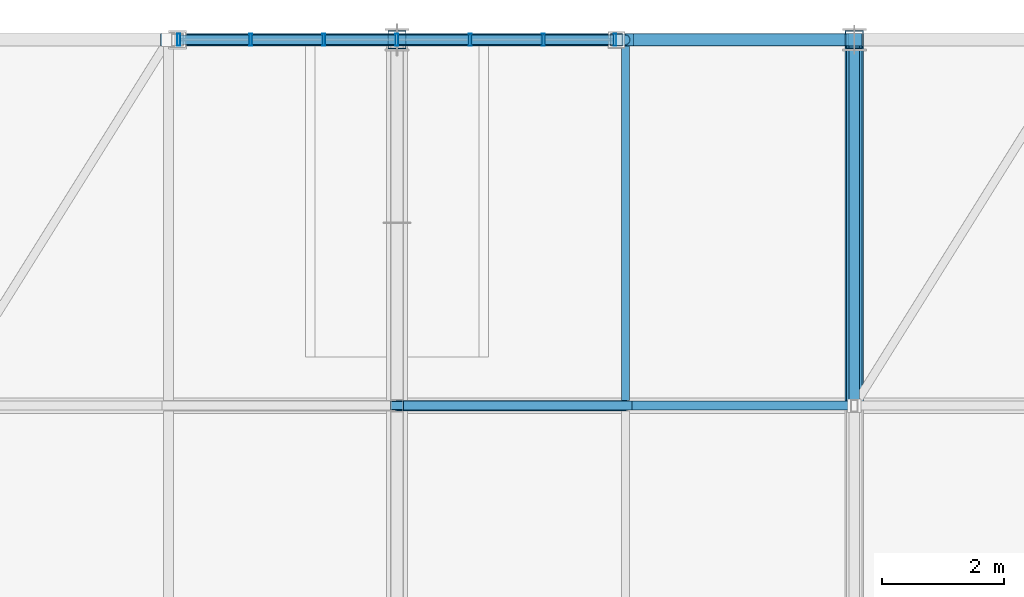
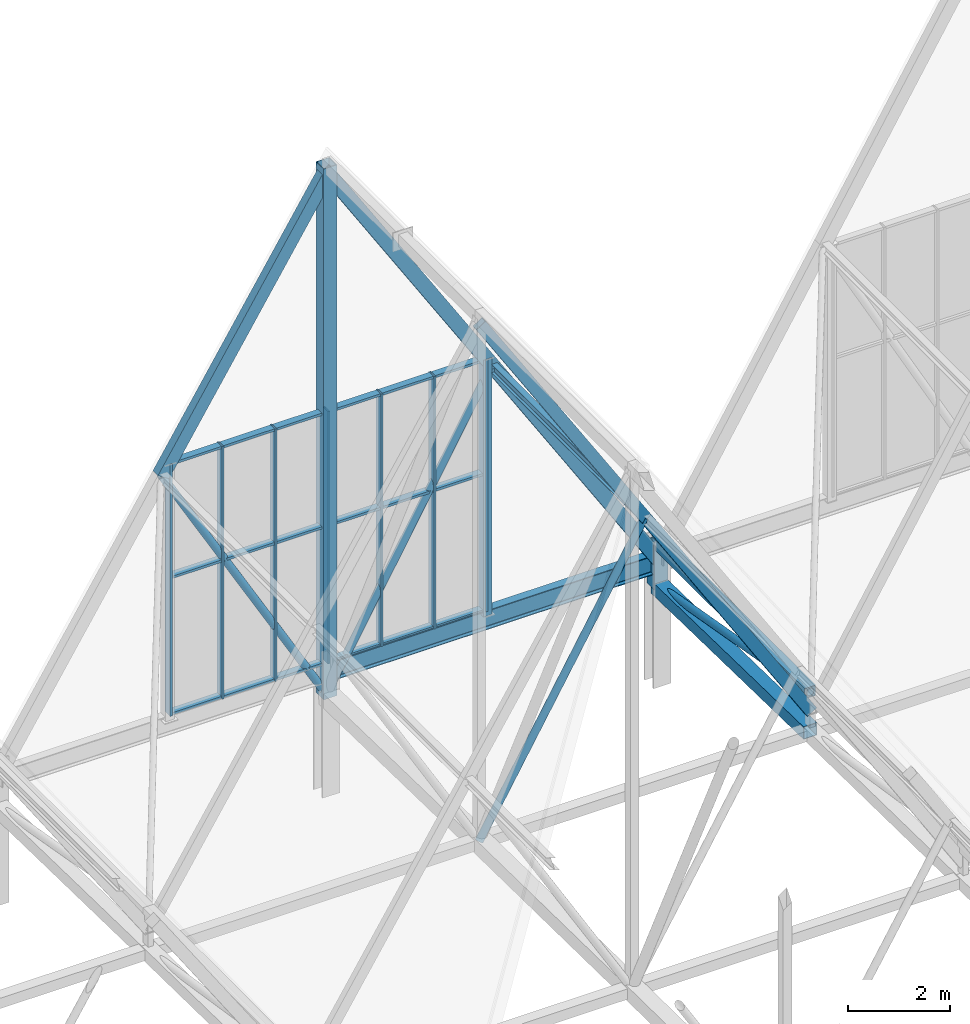
# One storey, part 111 of 324: 39 members, 2 beams, 1 element without a shape of its own.
"""IFC4 building model written with IfcOpenShell, lengths in metres."""

from ifc_helpers import new_model, si_unit, direction, frame, origin, origin_2d, place, context, subcontext, project, spatial, hollow_rectangle, hollow_circle, i_section, extrude, material, layer, layer_set, material_profile, profile_set, type_object, element, aggregate, save


model = new_model("IFC4")

# Units and contexts
model_context = context("Model", 3, precision=1e-05, world=origin(), true_north=direction((0.0, 1.0)))
body_context = subcontext(model_context, "Body", "Model", "MODEL_VIEW")
ifc_project = project(units=[si_unit("LENGTHUNIT", "METRE"), si_unit("AREAUNIT", "SQUARE_METRE"), si_unit("VOLUMEUNIT", "CUBIC_METRE"), si_unit("PLANEANGLEUNIT", "RADIAN"), si_unit("MASSUNIT", "GRAM", prefix="KILO")], contexts=[model_context])

# Site, building, storey
site_placement = place(None, origin())
site = spatial("IfcSite", under=ifc_project, at=site_placement, CompositionType="ELEMENT")
building_placement = place(site_placement, origin())
building = spatial("IfcBuilding", under=site, at=building_placement, Name="Solvenia Promenade Tram Depot", CompositionType="ELEMENT")
storey_placement = place(building_placement, frame((0.0, 0.0, 4.5)))
storey = spatial("IfcBuildingStorey", under=building, at=storey_placement, Name="L01", CompositionType="ELEMENT", Elevation=4.5)

# Curtain wall, members
ifc_material_1 = material(Name="Anodized aluminium AW-6063 T6", Category="aluminium")
ifc_layer = layer(ifc_material_1, 0.14990234375, Name="Anodized aluminium AW-6063 T6", Category="aluminium")
ifc_layer_set = layer_set([ifc_layer], Name="Anodized aluminium AW-6063 T6")
curtain_wall_type = type_object("IfcCurtainWallType", Name="CW-Gable-1200", PredefinedType="NOTDEFINED", material=ifc_layer_set)
curtain_wall_placement = place(storey_placement, origin())
curtain_wall = element("IfcCurtainWall", 1, at=curtain_wall_placement, inside=storey, type_object=curtain_wall_type, Name="North Zigzag Gable 02 Peak Glazing", PredefinedType="NOTDEFINED")
ifc_material_profile_1 = material_profile(ifc_material_1, hollow_rectangle(XDim=0.199951171875, YDim=0.048095703125, WallThickness=0.00390625, at=origin_2d()), Name="ALU-M3", Category="aluminium")
ifc_profile_set_1 = profile_set([ifc_material_profile_1], Name="Anodized aluminium AW-6063 T6")
member_type_1 = type_object("IfcMemberType", Name="CWM-Mullion-3", PredefinedType="MULLION", material=ifc_profile_set_1)
member_1_placement = place(storey_placement, frame((18.924072265625, 126.0, 3.10009765625), z_axis=(0.0, 0.0, 1.0), x_axis=(0.0, 1.0, 0.0)))
member_1 = element("IfcMember", 2, at=member_1_placement, type_object=member_type_1, Name="CW-3 mullion 1", PredefinedType="MULLION", context=body_context, shape_type="SweptSolid", body=[
    extrude(hollow_rectangle(XDim=0.199951171875, YDim=0.048095703125, WallThickness=0.00390625, at=origin_2d()), origin(), (0.0, 0.0, 1.0), 6.0498046875),
])
member_2_placement = place(storey_placement, frame((20.10009765625, 126.0, 3.10009765625), z_axis=(0.0, 0.0, 1.0), x_axis=(0.0, 1.0, 0.0)))
member_2 = element("IfcMember", 3, at=member_2_placement, type_object=member_type_1, Name="CW-3 mullion 2", PredefinedType="MULLION", context=body_context, shape_type="SweptSolid", body=[
    extrude(hollow_rectangle(XDim=0.199951171875, YDim=0.048095703125, WallThickness=0.00390625, at=origin_2d()), origin(), (0.0, 0.0, 1.0), 6.0498046875),
])
member_3_placement = place(storey_placement, frame((21.300048828125, 126.0, 3.10009765625), z_axis=(0.0, 0.0, 1.0), x_axis=(0.0, 1.0, 0.0)))
member_3 = element("IfcMember", 4, at=member_3_placement, type_object=member_type_1, Name="CW-3 mullion 3", PredefinedType="MULLION", context=body_context, shape_type="SweptSolid", body=[
    extrude(hollow_rectangle(XDim=0.199951171875, YDim=0.048095703125, WallThickness=0.00390625, at=origin_2d()), origin(), (0.0, 0.0, 1.0), 6.0498046875),
])
member_4_placement = place(storey_placement, frame((22.5, 126.0, 3.10009765625), z_axis=(0.0, 0.0, 1.0), x_axis=(0.0, 1.0, 0.0)))
member_4 = element("IfcMember", 5, at=member_4_placement, type_object=member_type_1, Name="CW-3 mullion 4", PredefinedType="MULLION", context=body_context, shape_type="SweptSolid", body=[
    extrude(hollow_rectangle(XDim=0.199951171875, YDim=0.048095703125, WallThickness=0.00390625, at=origin_2d()), origin(), (0.0, 0.0, 1.0), 6.0498046875),
])
member_5_placement = place(storey_placement, frame((23.699951171875, 126.0, 3.10009765625), z_axis=(0.0, 0.0, 1.0), x_axis=(0.0, 1.0, 0.0)))
member_5 = element("IfcMember", 6, at=member_5_placement, type_object=member_type_1, Name="CW-3 mullion 5", PredefinedType="MULLION", context=body_context, shape_type="SweptSolid", body=[
    extrude(hollow_rectangle(XDim=0.199951171875, YDim=0.048095703125, WallThickness=0.00390625, at=origin_2d()), origin(), (0.0, 0.0, 1.0), 6.0498046875),
])
member_6_placement = place(storey_placement, frame((24.89990234375, 126.0, 3.10009765625), z_axis=(0.0, 0.0, 1.0), x_axis=(0.0, 1.0, 0.0)))
member_6 = element("IfcMember", 7, at=member_6_placement, type_object=member_type_1, Name="CW-3 mullion 6", PredefinedType="MULLION", context=body_context, shape_type="SweptSolid", body=[
    extrude(hollow_rectangle(XDim=0.199951171875, YDim=0.048095703125, WallThickness=0.00390625, at=origin_2d()), origin(), (0.0, 0.0, 1.0), 6.0498046875),
])
member_7_placement = place(storey_placement, frame((26.075927734375, 126.0, 3.10009765625), z_axis=(0.0, 0.0, 1.0), x_axis=(0.0, 1.0, 0.0)))
member_7 = element("IfcMember", 8, at=member_7_placement, type_object=member_type_1, Name="CW-3 mullion 7", PredefinedType="MULLION", context=body_context, shape_type="SweptSolid", body=[
    extrude(hollow_rectangle(XDim=0.199951171875, YDim=0.048095703125, WallThickness=0.00390625, at=origin_2d()), origin(), (0.0, 0.0, 1.0), 6.0498046875),
])
ifc_material_profile_2 = material_profile(ifc_material_1, hollow_rectangle(XDim=0.159912109375, YDim=0.05810546875, WallThickness=0.00390625, at=origin_2d()), Name="ALU-T3", Category="aluminium")
ifc_profile_set_2 = profile_set([ifc_material_profile_2], Name="Anodized aluminium AW-6063 T6")
member_type_2 = type_object("IfcMemberType", Name="CWT-Transom-3", PredefinedType="USERDEFINED", material=ifc_profile_set_2)
member_8_placement = place(storey_placement, frame((18.947998046875, 126.0, 3.12890625), z_axis=(1.0, 0.0, 0.0), x_axis=(0.0, 1.0, 0.0)))
member_8 = element("IfcMember", 9, at=member_8_placement, type_object=member_type_2, Name="CW-3 transom 1.1", ObjectType="TRANSOM", PredefinedType="USERDEFINED", context=body_context, shape_type="SweptSolid", body=[
    extrude(hollow_rectangle(XDim=0.159912109375, YDim=0.05810546875, WallThickness=0.00390625, at=origin_2d()), origin(), (0.0, 0.0, 1.0), 1.1279296875),
])
member_9_placement = place(storey_placement, frame((18.947998046875, 126.0, 6.39990234375), z_axis=(1.0, 0.0, 0.0), x_axis=(0.0, 1.0, 0.0)))
member_9 = element("IfcMember", 10, at=member_9_placement, type_object=member_type_2, Name="CW-3 transom 1.2", ObjectType="TRANSOM", PredefinedType="USERDEFINED", context=body_context, shape_type="SweptSolid", body=[
    extrude(hollow_rectangle(XDim=0.159912109375, YDim=0.05810546875, WallThickness=0.00390625, at=origin_2d()), origin(), (0.0, 0.0, 1.0), 1.1279296875),
])
member_10_placement = place(storey_placement, frame((18.947998046875, 126.0, 9.12109375), z_axis=(1.0, 0.0, 0.0), x_axis=(0.0, 1.0, 0.0)))
member_10 = element("IfcMember", 11, at=member_10_placement, type_object=member_type_2, Name="CW-3 transom 1.3", ObjectType="TRANSOM", PredefinedType="USERDEFINED", context=body_context, shape_type="SweptSolid", body=[
    extrude(hollow_rectangle(XDim=0.159912109375, YDim=0.05810546875, WallThickness=0.00390625, at=origin_2d()), origin(), (0.0, 0.0, 1.0), 1.1279296875),
])
member_11_placement = place(storey_placement, frame((20.1240234375, 126.0, 3.12890625), z_axis=(1.0, 0.0, 0.0), x_axis=(0.0, 1.0, 0.0)))
member_11 = element("IfcMember", 12, at=member_11_placement, type_object=member_type_2, Name="CW-3 transom 2.1", ObjectType="TRANSOM", PredefinedType="USERDEFINED", context=body_context, shape_type="SweptSolid", body=[
    extrude(hollow_rectangle(XDim=0.159912109375, YDim=0.05810546875, WallThickness=0.00390625, at=origin_2d()), origin(), (0.0, 0.0, 1.0), 1.15185546875),
])
member_12_placement = place(storey_placement, frame((20.1240234375, 126.0, 6.39990234375), z_axis=(1.0, 0.0, 0.0), x_axis=(0.0, 1.0, 0.0)))
member_12 = element("IfcMember", 13, at=member_12_placement, type_object=member_type_2, Name="CW-3 transom 2.2", ObjectType="TRANSOM", PredefinedType="USERDEFINED", context=body_context, shape_type="SweptSolid", body=[
    extrude(hollow_rectangle(XDim=0.159912109375, YDim=0.05810546875, WallThickness=0.00390625, at=origin_2d()), origin(), (0.0, 0.0, 1.0), 1.15185546875),
])
member_13_placement = place(storey_placement, frame((20.1240234375, 126.0, 9.12109375), z_axis=(1.0, 0.0, 0.0), x_axis=(0.0, 1.0, 0.0)))
member_13 = element("IfcMember", 14, at=member_13_placement, type_object=member_type_2, Name="CW-3 transom 2.3", ObjectType="TRANSOM", PredefinedType="USERDEFINED", context=body_context, shape_type="SweptSolid", body=[
    extrude(hollow_rectangle(XDim=0.159912109375, YDim=0.05810546875, WallThickness=0.00390625, at=origin_2d()), origin(), (0.0, 0.0, 1.0), 1.15185546875),
])
member_14_placement = place(storey_placement, frame((21.323974609375, 126.0, 3.12890625), z_axis=(1.0, 0.0, 0.0), x_axis=(0.0, 1.0, 0.0)))
member_14 = element("IfcMember", 15, at=member_14_placement, type_object=member_type_2, Name="CW-3 transom 3.1", ObjectType="TRANSOM", PredefinedType="USERDEFINED", context=body_context, shape_type="SweptSolid", body=[
    extrude(hollow_rectangle(XDim=0.159912109375, YDim=0.05810546875, WallThickness=0.00390625, at=origin_2d()), origin(), (0.0, 0.0, 1.0), 1.152099609375),
])
member_15_placement = place(storey_placement, frame((21.323974609375, 126.0, 6.39990234375), z_axis=(1.0, 0.0, 0.0), x_axis=(0.0, 1.0, 0.0)))
member_15 = element("IfcMember", 16, at=member_15_placement, type_object=member_type_2, Name="CW-3 transom 3.2", ObjectType="TRANSOM", PredefinedType="USERDEFINED", context=body_context, shape_type="SweptSolid", body=[
    extrude(hollow_rectangle(XDim=0.159912109375, YDim=0.05810546875, WallThickness=0.00390625, at=origin_2d()), origin(), (0.0, 0.0, 1.0), 1.152099609375),
])
member_16_placement = place(storey_placement, frame((21.323974609375, 126.0, 9.12109375), z_axis=(1.0, 0.0, 0.0), x_axis=(0.0, 1.0, 0.0)))
member_16 = element("IfcMember", 17, at=member_16_placement, type_object=member_type_2, Name="CW-3 transom 3.3", ObjectType="TRANSOM", PredefinedType="USERDEFINED", context=body_context, shape_type="SweptSolid", body=[
    extrude(hollow_rectangle(XDim=0.159912109375, YDim=0.05810546875, WallThickness=0.00390625, at=origin_2d()), origin(), (0.0, 0.0, 1.0), 1.152099609375),
])
member_17_placement = place(storey_placement, frame((22.52392578125, 126.0, 3.12890625), z_axis=(1.0, 0.0, 0.0), x_axis=(0.0, 1.0, 0.0)))
member_17 = element("IfcMember", 18, at=member_17_placement, type_object=member_type_2, Name="CW-3 transom 4.1", ObjectType="TRANSOM", PredefinedType="USERDEFINED", context=body_context, shape_type="SweptSolid", body=[
    extrude(hollow_rectangle(XDim=0.159912109375, YDim=0.05810546875, WallThickness=0.00390625, at=origin_2d()), origin(), (0.0, 0.0, 1.0), 1.152099609375),
])
member_18_placement = place(storey_placement, frame((22.52392578125, 126.0, 6.39990234375), z_axis=(1.0, 0.0, 0.0), x_axis=(0.0, 1.0, 0.0)))
member_18 = element("IfcMember", 19, at=member_18_placement, type_object=member_type_2, Name="CW-3 transom 4.2", ObjectType="TRANSOM", PredefinedType="USERDEFINED", context=body_context, shape_type="SweptSolid", body=[
    extrude(hollow_rectangle(XDim=0.159912109375, YDim=0.05810546875, WallThickness=0.00390625, at=origin_2d()), origin(), (0.0, 0.0, 1.0), 1.152099609375),
])
member_19_placement = place(storey_placement, frame((22.52392578125, 126.0, 9.12109375), z_axis=(1.0, 0.0, 0.0), x_axis=(0.0, 1.0, 0.0)))
member_19 = element("IfcMember", 20, at=member_19_placement, type_object=member_type_2, Name="CW-3 transom 4.3", ObjectType="TRANSOM", PredefinedType="USERDEFINED", context=body_context, shape_type="SweptSolid", body=[
    extrude(hollow_rectangle(XDim=0.159912109375, YDim=0.05810546875, WallThickness=0.00390625, at=origin_2d()), origin(), (0.0, 0.0, 1.0), 1.152099609375),
])
member_20_placement = place(storey_placement, frame((23.72412109375, 126.0, 3.12890625), z_axis=(1.0, 0.0, 0.0), x_axis=(0.0, 1.0, 0.0)))
member_20 = element("IfcMember", 21, at=member_20_placement, type_object=member_type_2, Name="CW-3 transom 5.1", ObjectType="TRANSOM", PredefinedType="USERDEFINED", context=body_context, shape_type="SweptSolid", body=[
    extrude(hollow_rectangle(XDim=0.159912109375, YDim=0.05810546875, WallThickness=0.00390625, at=origin_2d()), origin(), (0.0, 0.0, 1.0), 1.15185546875),
])
member_21_placement = place(storey_placement, frame((23.72412109375, 126.0, 6.39990234375), z_axis=(1.0, 0.0, 0.0), x_axis=(0.0, 1.0, 0.0)))
member_21 = element("IfcMember", 22, at=member_21_placement, type_object=member_type_2, Name="CW-3 transom 5.2", ObjectType="TRANSOM", PredefinedType="USERDEFINED", context=body_context, shape_type="SweptSolid", body=[
    extrude(hollow_rectangle(XDim=0.159912109375, YDim=0.05810546875, WallThickness=0.00390625, at=origin_2d()), origin(), (0.0, 0.0, 1.0), 1.15185546875),
])
member_22_placement = place(storey_placement, frame((23.72412109375, 126.0, 9.12109375), z_axis=(1.0, 0.0, 0.0), x_axis=(0.0, 1.0, 0.0)))
member_22 = element("IfcMember", 23, at=member_22_placement, type_object=member_type_2, Name="CW-3 transom 5.3", ObjectType="TRANSOM", PredefinedType="USERDEFINED", context=body_context, shape_type="SweptSolid", body=[
    extrude(hollow_rectangle(XDim=0.159912109375, YDim=0.05810546875, WallThickness=0.00390625, at=origin_2d()), origin(), (0.0, 0.0, 1.0), 1.15185546875),
])
member_23_placement = place(storey_placement, frame((24.924072265625, 126.0, 3.12890625), z_axis=(1.0, 0.0, 0.0), x_axis=(0.0, 1.0, 0.0)))
member_23 = element("IfcMember", 24, at=member_23_placement, type_object=member_type_2, Name="CW-3 transom 6.1", ObjectType="TRANSOM", PredefinedType="USERDEFINED", context=body_context, shape_type="SweptSolid", body=[
    extrude(hollow_rectangle(XDim=0.159912109375, YDim=0.05810546875, WallThickness=0.00390625, at=origin_2d()), origin(), (0.0, 0.0, 1.0), 1.1279296875),
])
member_24_placement = place(storey_placement, frame((24.924072265625, 126.0, 6.39990234375), z_axis=(1.0, 0.0, 0.0), x_axis=(0.0, 1.0, 0.0)))
member_24 = element("IfcMember", 25, at=member_24_placement, type_object=member_type_2, Name="CW-3 transom 6.2", ObjectType="TRANSOM", PredefinedType="USERDEFINED", context=body_context, shape_type="SweptSolid", body=[
    extrude(hollow_rectangle(XDim=0.159912109375, YDim=0.05810546875, WallThickness=0.00390625, at=origin_2d()), origin(), (0.0, 0.0, 1.0), 1.1279296875),
])
member_25_placement = place(storey_placement, frame((24.924072265625, 126.0, 9.12109375), z_axis=(1.0, 0.0, 0.0), x_axis=(0.0, 1.0, 0.0)))
member_25 = element("IfcMember", 26, at=member_25_placement, type_object=member_type_2, Name="CW-3 transom 6.3", ObjectType="TRANSOM", PredefinedType="USERDEFINED", context=body_context, shape_type="SweptSolid", body=[
    extrude(hollow_rectangle(XDim=0.159912109375, YDim=0.05810546875, WallThickness=0.00390625, at=origin_2d()), origin(), (0.0, 0.0, 1.0), 1.1279296875),
])
aggregate(curtain_wall, [member_1, member_2, member_3, member_4, member_5, member_6, member_7, member_8, member_9, member_10, member_11, member_12, member_13, member_14, member_15, member_16, member_17, member_18, member_19, member_20, member_21, member_22, member_23, member_24, member_25])

# Members
ifc_material_2 = material(Name="Structural steel ASTM A500 Gr. C", Category="steel")
ifc_material_profile_3 = material_profile(ifc_material_2, hollow_rectangle(XDim=0.14990234375, YDim=0.25, WallThickness=0.010009765625, at=origin_2d()), Name="HSS250x150x10", Category="steel")
ifc_profile_set_3 = profile_set([ifc_material_profile_3], Name="Structural steel ASTM A500 Gr. C")
member_type_3 = type_object("IfcMemberType", Name="Chord-HSS250x150x10", PredefinedType="CHORD", material=ifc_profile_set_3)
member_26_placement = place(storey_placement, frame((22.5, 120.0, 14.83251953125), z_axis=(0.533522444929, 0.0, -0.845785907164), x_axis=(0.0, 1.0, 0.0)))
element("IfcMember", 27, at=member_26_placement, inside=storey, type_object=member_type_3, Name="Zigzag Gable 02 East Upper Rafter", PredefinedType="CHORD", context=body_context, shape_type="SweptSolid", body=[
    extrude(hollow_rectangle(XDim=0.14990234375, YDim=0.25, WallThickness=0.010009765625, at=origin_2d()), origin(), (0.0, 0.0, 1.0), 7.02880859375),
])
member_27_placement = place(storey_placement, frame((26.25, 120.0, 8.8876953125), z_axis=(0.533506771487, 0.0, -0.845795793781), x_axis=(0.0, 1.0, 0.0)))
element("IfcMember", 28, at=member_27_placement, inside=storey, type_object=member_type_3, Name="Zigzag Gable 02 East Lower Rafter", PredefinedType="CHORD", context=body_context, shape_type="SweptSolid", body=[
    extrude(hollow_rectangle(XDim=0.14990234375, YDim=0.25, WallThickness=0.010009765625, at=origin_2d()), origin(), (0.0, 0.0, 1.0), 7.029052734375),
])
ifc_material_profile_4 = material_profile(ifc_material_2, hollow_rectangle(XDim=0.25, YDim=0.25, WallThickness=0.010009765625, at=origin_2d()), Name="HSS250x250x10", Category="steel")
ifc_profile_set_4 = profile_set([ifc_material_profile_4], Name="Structural steel ASTM A500 Gr. C")
member_type_4 = type_object("IfcMemberType", Name="Chord-HSS250x250x10", PredefinedType="CHORD", material=ifc_profile_set_4)
member_28_placement = place(storey_placement, frame((30.0, 120.0, 3.3798828125), z_axis=(0.0, 1.0, 0.0), x_axis=(-1.0, 0.0, 0.0)))
element("IfcMember", 29, at=member_28_placement, inside=storey, type_object=member_type_4, Name="Arched Truss T05 Upper Chord S10", PredefinedType="CHORD", context=body_context, shape_type="SweptSolid", body=[
    extrude(hollow_rectangle(XDim=0.25, YDim=0.25, WallThickness=0.010009765625, at=origin_2d()), origin(), (0.0, 0.0, 1.0), 6.0),
])
ifc_material_profile_5 = material_profile(ifc_material_2, hollow_rectangle(XDim=0.199951171875, YDim=0.300048828125, WallThickness=0.012451171875, at=origin_2d()), Name="HSS300x200x12.5", Category="steel")
ifc_profile_set_5 = profile_set([ifc_material_profile_5], Name="Structural steel ASTM A500 Gr. C")
member_type_5 = type_object("IfcMemberType", Name="Chord-HSS300x200x12", PredefinedType="CHORD", material=ifc_profile_set_5)
for number, where, z_axis, x_axis, name in (
    (30, (18.75, 126.0, 8.8876953125), (0.533522444929, 0.0, 0.845785907164), (0.0, 1.0, 0.0), "Zigzag Gable 02 West Upper Rafter"),
    (31, (22.5, 126.0, 14.83251953125), (0.533522444929, 0.0, -0.845785907164), (0.0, 1.0, 0.0), "Zigzag Gable 02 East Upper Rafter"),
):
    element("IfcMember", number, at=place(storey_placement, frame(where, z_axis=z_axis, x_axis=x_axis)), inside=storey, type_object=member_type_5, Name=name, PredefinedType="CHORD", context=body_context, shape_type="SweptSolid", body=[
        extrude(hollow_rectangle(XDim=0.199951171875, YDim=0.300048828125, WallThickness=0.012451171875, at=origin_2d()), origin(), (0.0, 0.0, 1.0), 7.02880859375),
    ])
member_29_placement = place(storey_placement, frame((26.25, 126.0, 8.8876953125), z_axis=(0.533506771487, 0.0, -0.845795793781), x_axis=(0.0, 1.0, 0.0)))
element("IfcMember", 32, at=member_29_placement, inside=storey, type_object=member_type_5, Name="Zigzag Gable 02 East Lower Rafter", PredefinedType="CHORD", context=body_context, shape_type="SweptSolid", body=[
    extrude(hollow_rectangle(XDim=0.199951171875, YDim=0.300048828125, WallThickness=0.012451171875, at=origin_2d()), origin(), (0.0, 0.0, 1.0), 7.029052734375),
])
ifc_material_profile_6 = material_profile(ifc_material_2, hollow_rectangle(XDim=0.300048828125, YDim=0.300048828125, WallThickness=0.012451171875, at=origin_2d()), Name="HSS300x300x12.5", Category="steel")
ifc_profile_set_6 = profile_set([ifc_material_profile_6], Name="Structural steel ASTM A500 Gr. C")
member_type_6 = type_object("IfcMemberType", Name="Chord-HSS300x300x12", PredefinedType="CHORD", material=ifc_profile_set_6)
member_30_placement = place(storey_placement, frame((22.5, 126.0, 2.320068359375), z_axis=(0.0, 0.0, 1.0), x_axis=(1.0, 0.0, 0.0)))
element("IfcMember", 33, at=member_30_placement, inside=storey, type_object=member_type_6, Name="Arched Truss T04 N End Post", PredefinedType="CHORD", context=body_context, shape_type="SweptSolid", body=[
    extrude(hollow_rectangle(XDim=0.300048828125, YDim=0.300048828125, WallThickness=0.012451171875, at=origin_2d()), origin(), (0.0, 0.0, 1.0), 12.719970703125),
])
member_31_placement = place(storey_placement, frame((30.0, 126.0, 2.320068359375), z_axis=(0.0, 0.0, 1.0), x_axis=(1.0, 0.0, 0.0)))
element("IfcMember", 34, at=member_31_placement, inside=storey, type_object=member_type_6, Name="Arched Truss T05 N End Post", PredefinedType="CHORD", context=body_context, shape_type="SweptSolid", body=[
    extrude(hollow_rectangle(XDim=0.300048828125, YDim=0.300048828125, WallThickness=0.012451171875, at=origin_2d()), origin(), (0.0, 0.0, 1.0), 1.059814453125),
])
member_32_placement = place(storey_placement, frame((30.0, 120.0, 2.446044921875), z_axis=(0.0, 0.999779654873, -0.020991467363), x_axis=(-1.0, 0.0, 0.0)))
element("IfcMember", 35, at=member_32_placement, inside=storey, type_object=member_type_6, Name="Arched Truss T05 Bottom Chord S10", PredefinedType="CHORD", context=body_context, shape_type="SweptSolid", body=[
    extrude(hollow_rectangle(XDim=0.300048828125, YDim=0.300048828125, WallThickness=0.012451171875, at=origin_2d()), origin(), (0.0, 0.0, 1.0), 6.001220703125),
])
ifc_material_profile_7 = material_profile(ifc_material_2, hollow_rectangle(XDim=0.199951171875, YDim=0.199951171875, WallThickness=0.010009765625, at=origin_2d()), Name="HSS200x200x10", Category="steel")
ifc_profile_set_7 = profile_set([ifc_material_profile_7], Name="Structural steel ASTM A500 Gr. C")
member_type_7 = type_object("IfcMemberType", Name="Post-HSS200x200x10", PredefinedType="POST", material=ifc_profile_set_7)
member_33_placement = place(storey_placement, frame((26.10009765625, 126.0, 3.0), z_axis=(0.0, 0.0, 1.0), x_axis=(1.0, 0.0, 0.0)))
element("IfcMember", 36, at=member_33_placement, inside=storey, type_object=member_type_7, Name="Gable Curtain-Wall Steel Jamb Post 006", PredefinedType="POST", context=body_context, shape_type="SweptSolid", body=[
    extrude(hollow_rectangle(XDim=0.199951171875, YDim=0.199951171875, WallThickness=0.010009765625, at=origin_2d()), origin(), (0.0, 0.0, 1.0), 6.14990234375),
])

# Beams
ifc_material_3 = material(Name="Structural steel ASTM A992 Gr. 50", Category="steel")
ifc_material_profile_8 = material_profile(ifc_material_3, i_section(OverallWidth=0.133056640625, OverallDepth=0.20703125, WebThickness=0.005859375, FlangeThickness=0.00830078125, FilletRadius=0.009033203125, at=origin_2d()), Name="W200x27", Category="steel")
ifc_profile_set_8 = profile_set([ifc_material_profile_8], Name="Structural steel ASTM A992 Gr. 50")
beam_type_1 = type_object("IfcBeamType", Name="Purlin-W200x27", PredefinedType="USERDEFINED", material=ifc_profile_set_8)
beam_1_placement = place(storey_placement, frame((26.25, 120.0849609375, 8.8857421875), z_axis=(0.0, 1.0, 0.0), x_axis=(-1.0, 0.0, 0.0)))
element("IfcBeam", 37, at=beam_1_placement, inside=storey, type_object=beam_type_1, Name="Gable Roof Purlin E-0040", ObjectType="PURLIN", PredefinedType="USERDEFINED", context=body_context, shape_type="SweptSolid", body=[
    extrude(i_section(OverallWidth=0.133056640625, OverallDepth=0.20703125, WebThickness=0.005859375, FlangeThickness=0.00830078125, FilletRadius=0.009033203125, at=origin_2d()), origin(), (0.0, 0.0, 1.0), 5.830078125),
])
ifc_material_profile_9 = material_profile(ifc_material_3, i_section(OverallWidth=0.19091796875, OverallDepth=0.4599609375, WebThickness=0.010009765625, FlangeThickness=0.01611328125, FilletRadius=0.012939453125, at=origin_2d()), Name="W460x82", Category="steel")
ifc_profile_set_9 = profile_set([ifc_material_profile_9], Name="Structural steel ASTM A992 Gr. 50")
beam_type_2 = type_object("IfcBeamType", Name="Spandrel-W460x82", PredefinedType="SPANDREL", material=ifc_profile_set_9)
beam_2_placement = place(storey_placement, frame((22.5849609375, 126.0, 2.889892578125), z_axis=(1.0, 0.0, 0.0), x_axis=(0.0, 1.0, 0.0)))
element("IfcBeam", 38, at=beam_2_placement, inside=storey, type_object=beam_type_2, Name="North Shed Eave Girder BM-L01-0971", PredefinedType="SPANDREL", context=body_context, shape_type="SweptSolid", body=[
    extrude(i_section(OverallWidth=0.19091796875, OverallDepth=0.4599609375, WebThickness=0.010009765625, FlangeThickness=0.01611328125, FilletRadius=0.012939453125, at=origin_2d()), origin(), (0.0, 0.0, 1.0), 7.330078125),
])

# Members
ifc_material_profile_10 = material_profile(ifc_material_2, hollow_circle(Radius=0.084228515625, WallThickness=0.008056640625, at=origin_2d()), Name="CHS168.3x8", Category="steel")
ifc_profile_set_10 = profile_set([ifc_material_profile_10], Name="Structural steel ASTM A500 Gr. C")
member_type_8 = type_object("IfcMemberType", Name="WebDiag-CHS168x8", PredefinedType="BRACE", material=ifc_profile_set_10)
member_34_placement = place(storey_placement, frame((30.0, 126.0, 2.320068359375), z_axis=(0.0, -0.984755712458, 0.173943056143), x_axis=(1.0, 0.0, 0.0)))
element("IfcMember", 39, at=member_34_placement, inside=storey, type_object=member_type_8, Name="Arched Truss T05 Web Diagonal S10", PredefinedType="BRACE", context=body_context, shape_type="SweptSolid", body=[
    extrude(hollow_circle(Radius=0.084228515625, WallThickness=0.008056640625, at=origin_2d()), origin(), (0.0, 0.0, 1.0), 6.0927734375),
])
member_35_placement = place(storey_placement, frame((22.5, 120.0, 2.446044921875), z_axis=(0.503107125653, 0.0, 0.864224056664), x_axis=(0.0, 1.0, 0.0)))
element("IfcMember", 40, at=member_35_placement, inside=storey, type_object=member_type_8, Name="Zigzag Gable 02 East Knee Strut", PredefinedType="BRACE", context=body_context, shape_type="SweptSolid", body=[
    extrude(hollow_circle(Radius=0.084228515625, WallThickness=0.008056640625, at=origin_2d()), origin(), (0.0, 0.0, 1.0), 7.45361328125),
])
for number, where, z_axis, x_axis, name in (
    (41, (22.5, 126.0, 2.320068359375), (-0.495846885085, 0.0, 0.868409964562), (0.0, -1.0, 0.0), "Zigzag Gable 02 West Knee Strut"),
    (42, (22.5, 126.0, 2.320068359375), (0.495846885085, 0.0, 0.868409964562), (0.0, 1.0, 0.0), "Zigzag Gable 02 East Knee Strut"),
):
    element("IfcMember", number, at=place(storey_placement, frame(where, z_axis=z_axis, x_axis=x_axis)), inside=storey, type_object=member_type_8, Name=name, PredefinedType="BRACE", context=body_context, shape_type="SweptSolid", body=[
        extrude(hollow_circle(Radius=0.084228515625, WallThickness=0.008056640625, at=origin_2d()), origin(), (0.0, 0.0, 1.0), 7.562744140625),
    ])

save(model, "model.ifc")
